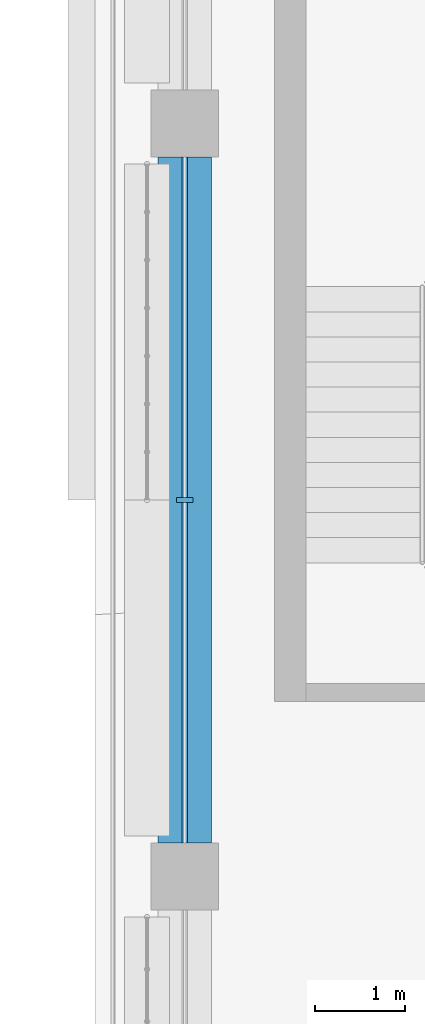
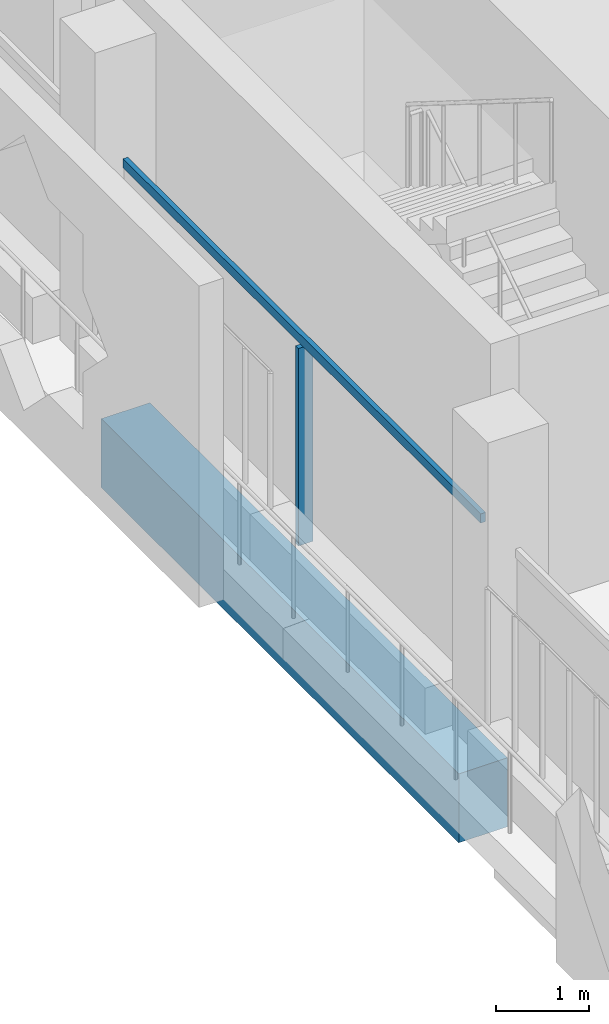
# One storey, part 4 of 21: 2 members, 1 beam, 1 element without a shape of its own.
"""IFC4 building model written with IfcOpenShell, lengths in metres."""

from ifc_helpers import new_model, si_unit, direction, frame, origin, origin_2d, place, context, subcontext, project, spatial, rectangle, extrude, material, layer, layer_set, material_profile, profile_set, type_object, element, aggregate, save


model = new_model("IFC4")

# Units and contexts
model_context = context("Model", 3, precision=1e-05, world=origin(), true_north=direction((0.0, 1.0)))
body_context = subcontext(model_context, "Body", "Model", "MODEL_VIEW")
ifc_project = project(units=[si_unit("LENGTHUNIT", "METRE"), si_unit("AREAUNIT", "SQUARE_METRE"), si_unit("VOLUMEUNIT", "CUBIC_METRE"), si_unit("PLANEANGLEUNIT", "RADIAN"), si_unit("MASSUNIT", "GRAM", prefix="KILO")], contexts=[model_context])

# Site, building, storey
site_placement = place(None, origin())
site = spatial("IfcSite", under=ifc_project, at=site_placement, CompositionType="ELEMENT")
building_placement = place(site_placement, origin())
building = spatial("IfcBuilding", under=site, at=building_placement, Name="Kawkab Arch Medical Tower", CompositionType="ELEMENT")
storey_placement = place(building_placement, frame((0.0, 0.0, 307.0)))
storey = spatial("IfcBuildingStorey", under=building, at=storey_placement, Name="L71", CompositionType="ELEMENT", Elevation=307.0)

# Curtain wall, members
ifc_material_1 = material(Name="Bronze anodised aluminium curtain wall frame", Category="aluminium")
ifc_layer = layer(ifc_material_1, 0.159912109375)
ifc_layer_set = layer_set([ifc_layer], Name="Bronze anodised aluminium curtain wall frame")
curtain_wall_type = type_object("IfcCurtainWallType", Name="CW1 ward curtain wall", PredefinedType="NOTDEFINED", material=ifc_layer_set)
curtain_wall_placement = place(storey_placement, origin())
curtain_wall = element("IfcCurtainWall", 1, at=curtain_wall_placement, inside=storey, type_object=curtain_wall_type, Name="CW1 Ward curtain wall R02", PredefinedType="NOTDEFINED")
ifc_material_2 = material(Name="Bronze anodised aluminium curtain wall frame", Category="aluminium")
ifc_material_profile_1 = material_profile(ifc_material_2, rectangle(XDim=0.179931640625, YDim=0.06005859375, at=origin_2d()), Name="AL 60x180")
ifc_profile_set_1 = profile_set([ifc_material_profile_1], Name="Bronze anodised aluminium curtain wall frame")
member_type_1 = type_object("IfcMemberType", Name="CW1 mullion 60 x 180", PredefinedType="MULLION", material=ifc_profile_set_1)
member_1_placement = place(storey_placement, frame((0.0, -21.0, 0.0), z_axis=(0.0, 0.0, 1.0), x_axis=(1.0, 0.0, 0.0)))
member_1 = element("IfcMember", 2, at=member_1_placement, type_object=member_type_1, Name="CW1 mullion 2.1", PredefinedType="MULLION", context=body_context, shape_type="SweptSolid", body=[
    extrude(rectangle(XDim=0.179931640625, YDim=0.06005859375, at=origin_2d()), origin(), (0.0, 0.0, 1.0), 2.580078125),
])
ifc_material_3 = material(Name="Bronze anodised aluminium curtain wall frame", Category="aluminium")
ifc_material_profile_2 = material_profile(ifc_material_3, rectangle(XDim=0.06005859375, YDim=0.1201171875, at=origin_2d()), Name="AL 60x120")
ifc_profile_set_2 = profile_set([ifc_material_profile_2], Name="Bronze anodised aluminium curtain wall frame")
member_type_2 = type_object("IfcMemberType", Name="CW1 transom 120 x 60", PredefinedType="USERDEFINED", material=ifc_profile_set_2)
member_2_placement = place(storey_placement, frame((0.0, -17.175048828125, 2.639892578125), z_axis=(0.0, -1.0, 0.0), x_axis=(1.0, 0.0, 0.0)))
member_2 = element("IfcMember", 3, at=member_2_placement, type_object=member_type_2, Name="CW1 transom 2", ObjectType="TRANSOM", PredefinedType="USERDEFINED", context=body_context, shape_type="SweptSolid", body=[
    extrude(rectangle(XDim=0.06005859375, YDim=0.1201171875, at=origin_2d()), origin(), (0.0, 0.0, 1.0), 7.64990234375),
])
aggregate(curtain_wall, [member_2, member_1])

# Beam
ifc_material_4 = material(Name="Concrete C40/50", Category="concrete")
ifc_material_profile_3 = material_profile(ifc_material_4, rectangle(XDim=0.60009765625, YDim=0.89990234375, at=origin_2d()), Name="RC 600x900")
ifc_profile_set_3 = profile_set([ifc_material_profile_3], Name="Concrete C40/50")
beam_type = type_object("IfcBeamType", Name="RC 600x900 beam C40/50", PredefinedType="BEAM", material=ifc_profile_set_3)
beam_placement = place(storey_placement, frame((0.0, -24.824951171875, -1.050048828125), z_axis=(0.0, 1.0, 0.0), x_axis=(-1.0, 0.0, 0.0)))
element("IfcBeam", 4, at=beam_placement, inside=storey, type_object=beam_type, Name="Overhang edge beam L71-04", PredefinedType="BEAM", context=body_context, shape_type="SweptSolid", body=[
    extrude(rectangle(XDim=0.60009765625, YDim=0.89990234375, at=origin_2d()), origin(), (0.0, 0.0, 1.0), 7.64990234375),
])

save(model, "model.ifc")
